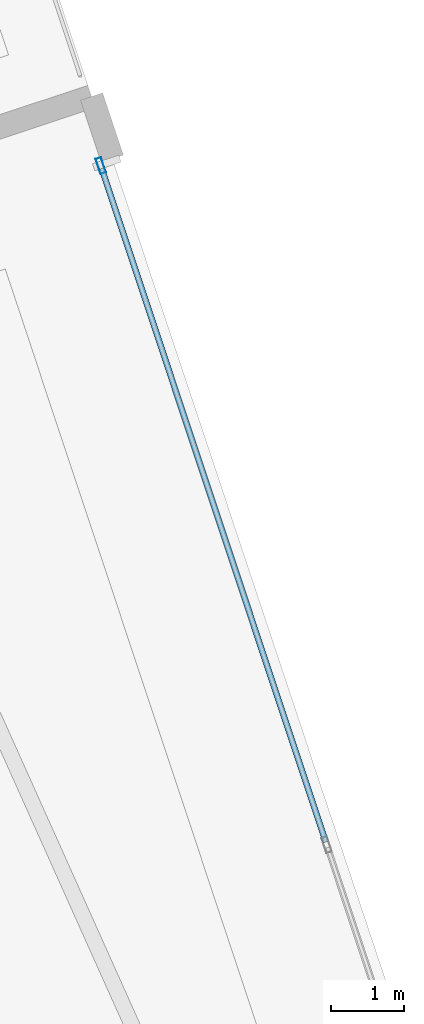
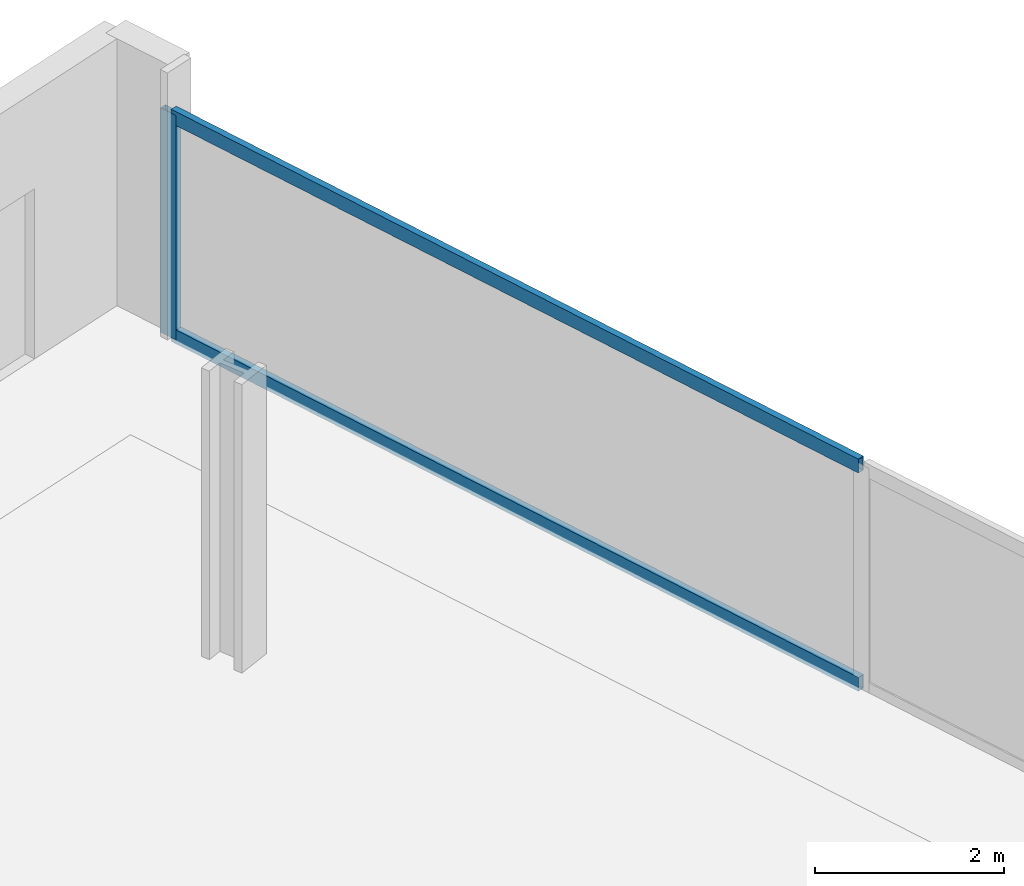
# One storey, part 23 of 34: 3 members, 1 element without a shape of its own.
"""IFC4 building model written with IfcOpenShell, lengths in metres."""

from ifc_helpers import new_model, si_unit, direction, frame, origin, origin_2d, place, context, subcontext, project, spatial, hollow_rectangle, extrude, material, material_profile, profile_set, type_object, element, aggregate, save


model = new_model("IFC4")

# Units and contexts
model_context = context("Model", 3, precision=1e-05, world=origin(), true_north=direction((0.0, 1.0)))
body_context = subcontext(model_context, "Body", "Model", "MODEL_VIEW")
ifc_project = project(units=[si_unit("LENGTHUNIT", "METRE"), si_unit("AREAUNIT", "SQUARE_METRE"), si_unit("VOLUMEUNIT", "CUBIC_METRE"), si_unit("PLANEANGLEUNIT", "RADIAN"), si_unit("MASSUNIT", "GRAM", prefix="KILO")], contexts=[model_context])

# Site, building, storey
site_placement = place(None, origin())
site = spatial("IfcSite", under=ifc_project, at=site_placement, CompositionType="ELEMENT")
building_placement = place(site_placement, origin())
building = spatial("IfcBuilding", under=site, at=building_placement, Name="Haldenkirk Collegiate Tower", CompositionType="ELEMENT")
storey_placement = place(building_placement, frame((0.0, 0.0, 90.449951171875)))
storey = spatial("IfcBuildingStorey", under=building, at=storey_placement, Name="L21", CompositionType="ELEMENT", Elevation=90.449951171875)

# Curtain wall, members
ifc_material = material(Name="Anodised architectural bronze aluminium", Category="aluminium")
curtain_wall_type = type_object("IfcCurtainWallType", Name="CW-SYS1-CONVEX-LOW", PredefinedType="USERDEFINED", material=ifc_material)
curtain_wall_placement = place(storey_placement, origin())
curtain_wall = element("IfcCurtainWall", 1, at=curtain_wall_placement, inside=storey, type_object=curtain_wall_type, Name="L21 Lower tower convex bronze-framed unitised curtain wall", ObjectType="UNITISED CURTAIN WALL", PredefinedType="USERDEFINED")
ifc_material_profile_1 = material_profile(ifc_material, hollow_rectangle(XDim=0.080078125, YDim=0.219970703125, WallThickness=0.0048828125, at=origin_2d()), Name="CW-MUL-1A")
ifc_profile_set_1 = profile_set([ifc_material_profile_1], Name="Anodised architectural bronze aluminium")
member_type_1 = type_object("IfcMemberType", Name="CW-MUL-1A", PredefinedType="MULLION", material=ifc_profile_set_1)
member_1_placement = place(storey_placement, frame((54.326171875, 53.0263671875, 0.0), z_axis=(0.0, 0.0, 1.0), x_axis=(0.948876521826, 0.315647503281, 0.0)))
member_1 = element("IfcMember", 2, at=member_1_placement, type_object=member_type_1, Name="CW-1A mullion 1", PredefinedType="MULLION", context=body_context, shape_type="SweptSolid", body=[
    extrude(hollow_rectangle(XDim=0.080078125, YDim=0.219970703125, WallThickness=0.0048828125, at=origin_2d()), origin(), (0.0, 0.0, 1.0), 2.901123046875),
])
ifc_material_profile_2 = material_profile(ifc_material, hollow_rectangle(XDim=0.080078125, YDim=0.179931640625, WallThickness=0.0048828125, at=origin_2d()), Name="CW-TRN-1A")
ifc_profile_set_2 = profile_set([ifc_material_profile_2], Name="Anodised architectural bronze aluminium")
member_type_2 = type_object("IfcMemberType", Name="CW-TRN-1A", PredefinedType="USERDEFINED", material=ifc_profile_set_2)
member_2_placement = place(storey_placement, frame((54.3388671875, 52.98828125, 0.0400390625), z_axis=(0.315633022067, -0.948881338936, 0.0), x_axis=(0.948881338936, 0.315633022067, 0.0)))
member_2 = element("IfcMember", 3, at=member_2_placement, type_object=member_type_2, Name="CW-1A transom 1.1", ObjectType="TRANSOM", PredefinedType="USERDEFINED", context=body_context, shape_type="SweptSolid", body=[
    extrude(hollow_rectangle(XDim=0.080078125, YDim=0.179931640625, WallThickness=0.0048828125, at=origin_2d()), origin(), (0.0, 0.0, 1.0), 9.729736328125),
])
member_3_placement = place(storey_placement, frame((54.3388671875, 52.98828125, 2.861083984375), z_axis=(0.315633022067, -0.948881338936, 0.0), x_axis=(0.948881338936, 0.315633022067, 0.0)))
member_3 = element("IfcMember", 4, at=member_3_placement, type_object=member_type_2, Name="CW-1A transom 1.2", ObjectType="TRANSOM", PredefinedType="USERDEFINED", context=body_context, shape_type="SweptSolid", body=[
    extrude(hollow_rectangle(XDim=0.080078125, YDim=0.179931640625, WallThickness=0.0048828125, at=origin_2d()), origin(), (0.0, 0.0, 1.0), 9.729736328125),
])
aggregate(curtain_wall, [member_1, member_2, member_3])

save(model, "model.ifc")
